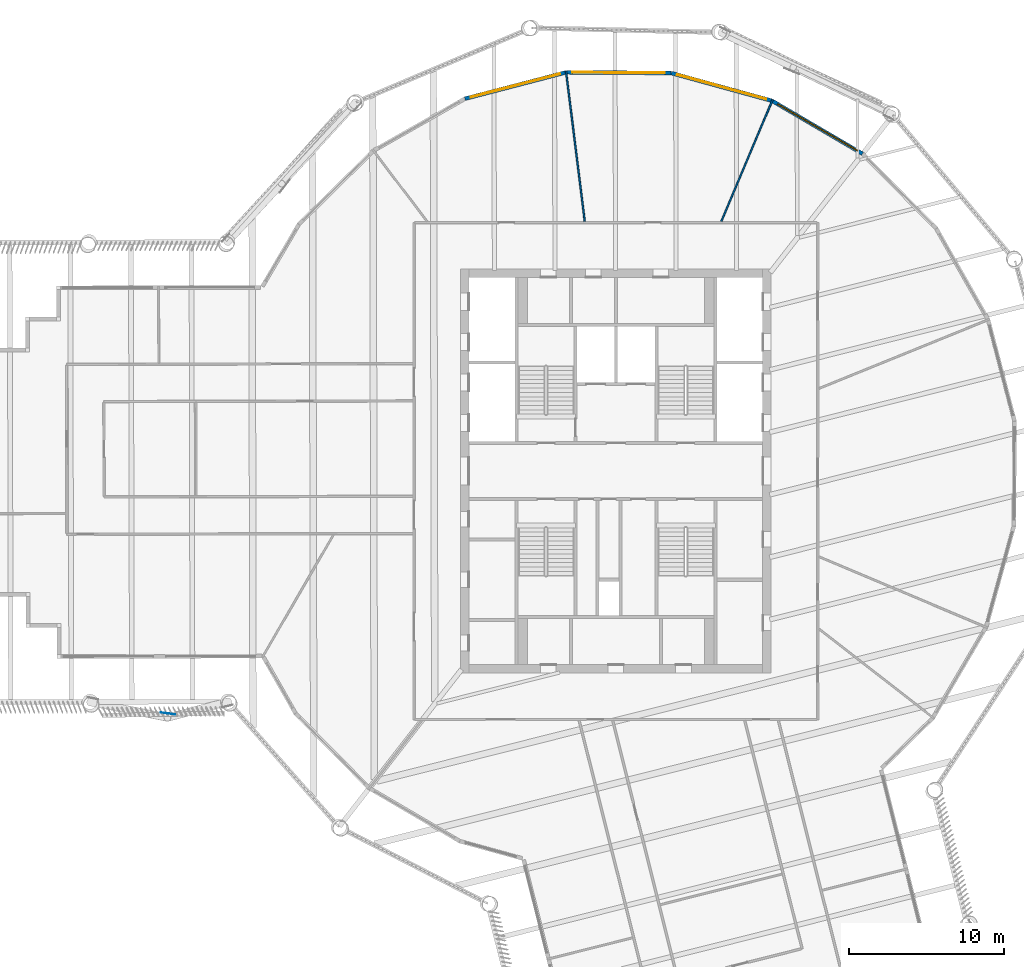
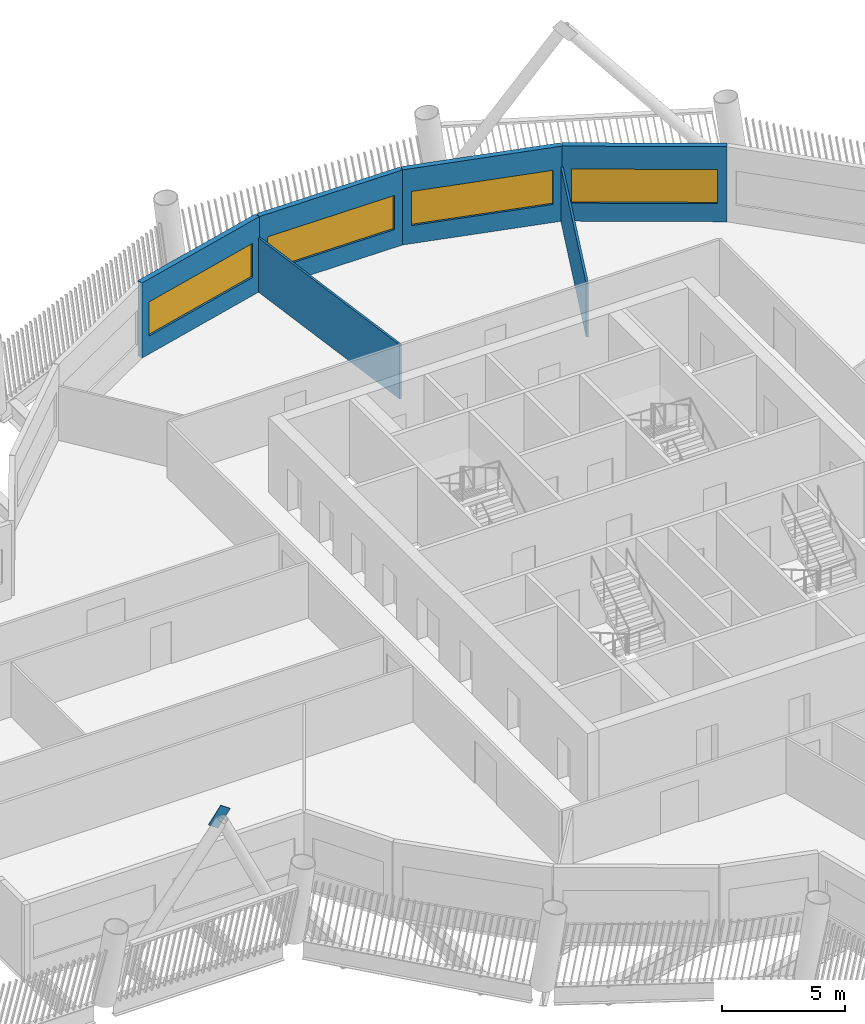
# One storey, part 7 of 22: 6 walls, 4 windows, 1 discrete accessory, 4 openings.
"""IFC4 building model written with IfcOpenShell, lengths in metres."""

import ifcopenshell
import ifcopenshell.guid

model = None  # the IFC model being written
_history = None  # IfcOwnerHistory: only IFC2X3 demands one
_inside = {}  # id of a spatial element -> (the spatial element, [elements in it])
_under = {}  # id of a project, library or spatial element -> (it, [spatial elements below it])
_declared = {}  # id of a project -> (the project, [libraries it declares])
_typed = {}  # id of a type object -> (the type object, [elements of that type])
_made_of = {}  # id of a material, layer set ... -> (it, [elements and type objects made of it])


def new_model(schema):
    """Start an empty IFC model of exactly this schema.

    Asked for "IFC4X3", IfcOpenShell would pick the latest addendum, in which some entities
    have other attributes; the version numbers below select the first issue.
    IFC2X3 requires an IfcOwnerHistory on every rooted entity: one is made here for all.
    """
    global model, _history
    if schema == "IFC4X3":
        model = ifcopenshell.file(schema_version=(4, 3, 0, 0))
    else:
        model = ifcopenshell.file(schema=schema)
    _inside.clear()
    _under.clear()
    _declared.clear()
    _typed.clear()
    _made_of.clear()
    _history = None
    if model.schema == "IFC2X3":
        org = make("IfcOrganization", Name="unknown")
        user = make(
            "IfcPersonAndOrganization",
            ThePerson=make("IfcPerson", FamilyName="unknown"),
            TheOrganization=org,
        )
        app = make(
            "IfcApplication",
            ApplicationDeveloper=org,
            Version="unknown",
            ApplicationFullName="unknown",
            ApplicationIdentifier="unknown",
        )
        _history = make(
            "IfcOwnerHistory",
            OwningUser=user,
            OwningApplication=app,
            ChangeAction="ADDED",
            CreationDate=0,
        )
    return model


def make(cls, **values):
    """One entity of the class cls with the attributes given. An attribute that is None is left unset."""
    return model.create_entity(
        cls, **{name: value for name, value in values.items() if value is not None}
    )


def rooted(cls, **values):
    """An entity with a GlobalId (a new one), such as an element, a storey or a relation."""
    return make(cls, GlobalId=ifcopenshell.guid.new(), OwnerHistory=_history, **values)


def si_unit(unit_type, name, prefix=None):
    """IfcSIUnit, for example si_unit("LENGTHUNIT", "METRE", prefix="MILLI")."""
    return make("IfcSIUnit", UnitType=unit_type, Prefix=prefix, Name=name)


def assignment(units):
    """IfcUnitAssignment: the units of a project."""
    return None if units is None else make("IfcUnitAssignment", Units=units)


def point(xyz):
    """IfcCartesianPoint."""
    return None if xyz is None else make("IfcCartesianPoint", Coordinates=xyz)


def direction(xyz):
    """IfcDirection."""
    return None if xyz is None else make("IfcDirection", DirectionRatios=xyz)


def frame(location, z_axis=None, x_axis=None):
    """IfcAxis2Placement3D, a coordinate frame: its origin and axes. An axis left out is left unset."""
    return make(
        "IfcAxis2Placement3D",
        Location=point(location),
        Axis=direction(z_axis),
        RefDirection=direction(x_axis),
    )


def frame_2d(location, x_axis=None):
    """IfcAxis2Placement2D, a coordinate frame in the plane: its origin and x axis."""
    return make(
        "IfcAxis2Placement2D", Location=point(location), RefDirection=direction(x_axis)
    )


def origin():
    """The frame at (0, 0, 0) with its axes left unset."""
    return frame((0.0, 0.0, 0.0))


def origin_2d():
    """The frame at (0, 0) in the plane with its x axis left unset."""
    return frame_2d((0.0, 0.0))


def place(relative_to, where):
    """IfcLocalPlacement: puts the frame where relative to a parent placement (None: the world)."""
    return make(
        "IfcLocalPlacement", PlacementRelTo=relative_to, RelativePlacement=where
    )


def context(
    kind, dimensions, precision=None, world=None, true_north=None, identifier=None
):
    """IfcGeometricRepresentationContext, for example the 3D "Model" context."""
    return make(
        "IfcGeometricRepresentationContext",
        ContextIdentifier=identifier,
        ContextType=kind,
        CoordinateSpaceDimension=dimensions,
        Precision=precision,
        WorldCoordinateSystem=world,
        TrueNorth=true_north,
    )


def subcontext(parent, identifier, kind, view, scale=None):
    """IfcGeometricRepresentationSubContext, for example "Body" below "Model"."""
    return make(
        "IfcGeometricRepresentationSubContext",
        ContextIdentifier=identifier,
        ContextType=kind,
        ParentContext=parent,
        TargetScale=scale,
        TargetView=view,
    )


def project(units=None, contexts=None):
    """IfcProject with its units and contexts."""
    return rooted(
        "IfcProject",
        Name="project",
        RepresentationContexts=contexts,
        UnitsInContext=assignment(units),
    )


def spatial(cls, under=None, at=None, **own):
    """A site, building, storey or space (cls), placed at a placement, below another one or the project."""
    s = rooted(cls, ObjectPlacement=at, **own)
    if under is not None:
        _under.setdefault(under.id(), (under, []))[1].append(s)
    return s


def profile(cls, at=None, kind="AREA", **sizes):
    """A parametric profile (cls). Its sizes go by their IFC names, for example OverallWidth=200.0."""
    return make(cls, ProfileType=kind, Position=at, **sizes)


def rectangle(**sizes):
    """IfcRectangleProfileDef."""
    return profile("IfcRectangleProfileDef", **sizes)


def extrude(swept, where, along, depth):
    """IfcExtrudedAreaSolid: the profile swept, set in the frame where, extruded along a direction by depth."""
    return make(
        "IfcExtrudedAreaSolid",
        SweptArea=swept,
        Position=where,
        ExtrudedDirection=direction(along),
        Depth=depth,
    )


def shape(context_of_items, identifier, shape_type, items):
    """IfcShapeRepresentation: the items that make up one representation, for example the "Body"."""
    return make(
        "IfcShapeRepresentation",
        ContextOfItems=context_of_items,
        RepresentationIdentifier=identifier,
        RepresentationType=shape_type,
        Items=items,
    )


def material(Name=None, Category=None):
    """IfcMaterial."""
    return make("IfcMaterial", Name=Name, Category=Category)


def layer(
    of_material, thickness, ventilated=None, Name=None, Category=None, Priority=None
):
    """IfcMaterialLayer: one layer of a wall or slab, of a material (None: an air gap)."""
    return make(
        "IfcMaterialLayer",
        Material=of_material,
        LayerThickness=thickness,
        IsVentilated=ventilated,
        Name=Name,
        Category=Category,
        Priority=Priority,
    )


def layer_set(layers, Name=None):
    """IfcMaterialLayerSet."""
    return make("IfcMaterialLayerSet", MaterialLayers=layers, LayerSetName=Name)


def material_profile(
    of_material, cross_section, Name=None, Category=None, Priority=None
):
    """IfcMaterialProfile: a cross section and its material."""
    return make(
        "IfcMaterialProfile",
        Name=Name,
        Material=of_material,
        Profile=cross_section,
        Priority=Priority,
        Category=Category,
    )


def profile_set(profiles, Name=None, composite=None):
    """IfcMaterialProfileSet."""
    return make(
        "IfcMaterialProfileSet",
        Name=Name,
        MaterialProfiles=profiles,
        CompositeProfile=composite,
    )


def made_of(thing, what):
    """Note that an element or type object is made of a material, layer set ...; save() writes the relation."""
    if what is not None:
        _made_of.setdefault(what.id(), (what, []))[1].append(thing)
    return thing


def type_object(cls, material=None, **own):
    """A type object (cls), such as IfcWallType, which elements share."""
    return made_of(rooted(cls, **own), material)


def element(
    cls,
    number,
    at=None,
    inside=None,
    cuts=None,
    type_object=None,
    material=None,
    context=None,
    identifier="Body",
    shape_type=None,
    held_by="IfcProductDefinitionShape",
    body=None,
    shapes=None,
    **own,
):
    """One element of the class cls, such as IfcWall. Its Tag is "e" and its number.

    at: its placement. inside: the storey or other place that contains it. cuts: it is an
    opening in that element (IfcRelVoidsElement). A single representation is given by context,
    identifier, shape_type and body (its items); several are given by shapes. held_by: the class
    of the entity that holds the representations. save() writes the other relations.
    """
    e = rooted(cls, Tag="e%d" % number, ObjectPlacement=at, **own)
    if body is not None:
        shapes = [shape(context, identifier, shape_type, body)]
    if shapes is not None:
        e.Representation = make(held_by, Representations=shapes)
    if inside is not None:
        _inside.setdefault(inside.id(), (inside, []))[1].append(e)
    if cuts is not None:
        rooted(
            "IfcRelVoidsElement", RelatingBuildingElement=cuts, RelatedOpeningElement=e
        )
    if type_object is not None:
        _typed.setdefault(type_object.id(), (type_object, []))[1].append(e)
    return made_of(e, material)


def fill(opening, filler):
    """IfcRelFillsElement: the door or window that sits in an opening."""
    return rooted(
        "IfcRelFillsElement",
        RelatingOpeningElement=opening,
        RelatedBuildingElement=filler,
    )


def aggregate(whole, parts):
    """IfcRelAggregates: a whole, such as a stair, and the parts it consists of."""
    return rooted("IfcRelAggregates", RelatingObject=whole, RelatedObjects=parts)


def save(model, path):
    """Write the relations noted so far, then the file.

    IfcRelAggregates (storeys below a building ...), IfcRelContainedInSpatialStructure (elements
    in a storey), IfcRelDefinesByType, IfcRelAssociatesMaterial and IfcRelDeclares: one each for
    every whole, place, type object, material and project.
    """
    for whole, parts in _under.values():
        aggregate(whole, parts)
    for where, things in _inside.values():
        rooted(
            "IfcRelContainedInSpatialStructure",
            RelatedElements=things,
            RelatingStructure=where,
        )
    for kind, things in _typed.values():
        rooted("IfcRelDefinesByType", RelatedObjects=things, RelatingType=kind)
    for what, things in _made_of.values():
        rooted("IfcRelAssociatesMaterial", RelatedObjects=things, RelatingMaterial=what)
    for by, libraries in _declared.values():
        rooted("IfcRelDeclares", RelatingContext=by, RelatedDefinitions=libraries)
    model.write(path)


model = new_model("IFC4")

# Units and contexts
model_context = context("Model", 3, precision=1e-05, world=origin(), true_north=direction((0.0, 1.0)))
body_context = subcontext(model_context, "Body", "Model", "MODEL_VIEW")
ifc_project = project(units=[si_unit("LENGTHUNIT", "METRE"), si_unit("AREAUNIT", "SQUARE_METRE"), si_unit("VOLUMEUNIT", "CUBIC_METRE"), si_unit("PLANEANGLEUNIT", "RADIAN"), si_unit("MASSUNIT", "GRAM", prefix="KILO")], contexts=[model_context])

# Site, building, storey
site_placement = place(None, origin())
site = spatial("IfcSite", under=ifc_project, at=site_placement, CompositionType="ELEMENT")
building_placement = place(site_placement, origin())
building = spatial("IfcBuilding", under=site, at=building_placement, Name="Tarsis Ring Headquarters", CompositionType="ELEMENT")
storey_placement = place(building_placement, frame((0.0, 0.0, 286.39990234375)))
storey = spatial("IfcBuildingStorey", under=building, at=storey_placement, Name="L67", CompositionType="ELEMENT", Elevation=286.39990234375)

# Walls
ifc_material_1 = material(Name="Gypsum board on steel studs", Category="steel")
ifc_layer_1 = layer(ifc_material_1, 0.10009765625)
ifc_layer_set_1 = layer_set([ifc_layer_1], Name="FL partition 100 unrated")
wall_type_1 = type_object("IfcWallType", Name="FL partition 100 unrated", PredefinedType="PARTITIONING", material=ifc_layer_set_1)
wall_1_placement = place(storey_placement, frame((-3.21630859375, 25.747802734375, 0.0), z_axis=(0.0, 0.0, 1.0), x_axis=(0.12395463426, -0.992287885971, 0.0)))
element("IfcWall", 1, at=wall_1_placement, inside=storey, type_object=wall_type_1, Name="Partition PW3", PredefinedType="PARTITIONING", context=body_context, shape_type="SweptSolid", body=[
    extrude(rectangle(XDim=9.75341796875, YDim=0.10009765625, at=frame_2d((4.876708984375, 0.0))), origin(), (0.0, 0.0, 1.0), 2.7001953125),
])
wall_2_placement = place(storey_placement, frame((6.783203125, 16.07373046875, 0.0), z_axis=(0.0, 0.0, 1.0), x_axis=(0.388807921559, 0.921318837392, 0.0)))
element("IfcWall", 2, at=wall_2_placement, inside=storey, type_object=wall_type_1, Name="Partition PW3", PredefinedType="PARTITIONING", context=body_context, shape_type="SweptSolid", body=[
    extrude(rectangle(XDim=8.50146484375, YDim=0.10009765625, at=frame_2d((4.250732421875, 0.0))), origin(), (0.0, 0.0, 1.0), 2.7001953125),
])

# Wall, opening, window
ifc_material_2 = material(Name="Terracotta clad insulated panel wall", Category="masonry")
ifc_layer_2 = layer(ifc_material_2, 0.25)
ifc_layer_set_2 = layer_set([ifc_layer_2], Name="Facade wall terracotta panel 250")
wall_type_2 = type_object("IfcWallType", Name="Facade wall terracotta panel 250", PredefinedType="STANDARD", material=ifc_layer_set_2)
wall_3_placement = place(storey_placement, frame((15.87255859375, 20.4306640625, 0.0), z_axis=(0.0, 0.0, 1.0), x_axis=(-0.862697970098, 0.505719499712, 0.0)))
wall_3 = element("IfcWall", 3, at=wall_3_placement, inside=storey, type_object=wall_type_2, Name="External wall L67-24", PredefinedType="STANDARD", context=body_context, shape_type="SweptSolid", body=[
    extrude(rectangle(XDim=6.721435546875, YDim=0.25, at=frame_2d((3.36083984375, 0.0))), origin(), (0.0, 0.0, 1.0), 3.739990234375),
])
opening_1_placement = place(wall_3_placement, frame((0.3857421875, 0.0, 0.89990234375)))
opening_1 = element("IfcOpeningElement", 4, at=opening_1_placement, cuts=wall_3, Name="Opening WN07", PredefinedType="OPENING", context=body_context, shape_type="SweptSolid", body=[
    extrude(rectangle(XDim=5.949951171875, YDim=1.699951171875, at=frame_2d((2.97509765625, 0.85009765625))), frame((0.0, 0.135009765625, 0.0), z_axis=(0.0, -1.0, 0.0), x_axis=(1.0, 0.0, 0.0)), (0.0, 0.0, 1.0), 0.27001953125),
])
ifc_material_3 = material(Name="Aluminium framed double glazing", Category="aluminium")
window_type = type_object("IfcWindowType", Name="Facade window 5950 x 1700", PartitioningType="SINGLE_PANEL", PredefinedType="WINDOW", material=ifc_material_3)
window_1_placement = place(opening_1_placement, origin())
window_1 = element("IfcWindow", 5, at=window_1_placement, inside=storey, type_object=window_type, Name="Window L67-24.1", OverallHeight=1.699951171875, OverallWidth=5.949951171875, PartitioningType="SINGLE_PANEL", PredefinedType="WINDOW", context=body_context, shape_type="SweptSolid", body=[
    extrude(rectangle(XDim=5.949951171875, YDim=1.699951171875, at=frame_2d((2.97509765625, 0.85009765625))), frame((0.0, 0.030029296875, 0.0), z_axis=(0.0, -1.0, 0.0), x_axis=(1.0, 0.0, 0.0)), (0.0, 0.0, 1.0), 0.06005859375),
])
fill(opening_1, window_1)

wall_4_placement = place(storey_placement, frame((10.0439453125, 23.842529296875, 0.0), z_axis=(0.0, 0.0, 1.0), x_axis=(-0.964185656426, 0.265228241222, 0.0)))
wall_4 = element("IfcWall", 6, at=wall_4_placement, inside=storey, type_object=wall_type_2, Name="External wall L67-25", PredefinedType="STANDARD", context=body_context, shape_type="SweptSolid", body=[
    extrude(rectangle(XDim=6.721435546875, YDim=0.25, at=frame_2d((3.36083984375, 0.0))), origin(), (0.0, 0.0, 1.0), 3.739990234375),
])
opening_2_placement = place(wall_4_placement, frame((0.3857421875, 0.0, 0.89990234375)))
opening_2 = element("IfcOpeningElement", 7, at=opening_2_placement, cuts=wall_4, Name="Opening WN07", PredefinedType="OPENING", context=body_context, shape_type="SweptSolid", body=[
    extrude(rectangle(XDim=5.949951171875, YDim=1.699951171875, at=frame_2d((2.97509765625, 0.85009765625))), frame((0.0, 0.135009765625, 0.0), z_axis=(0.0, -1.0, 0.0), x_axis=(1.0, 0.0, 0.0)), (0.0, 0.0, 1.0), 0.27001953125),
])
window_2_placement = place(opening_2_placement, origin())
window_2 = element("IfcWindow", 8, at=window_2_placement, inside=storey, type_object=window_type, Name="Window L67-25.1", OverallHeight=1.699951171875, OverallWidth=5.949951171875, PartitioningType="SINGLE_PANEL", PredefinedType="WINDOW", context=body_context, shape_type="SweptSolid", body=[
    extrude(rectangle(XDim=5.949951171875, YDim=1.699951171875, at=frame_2d((2.97509765625, 0.85009765625))), frame((0.0, 0.030029296875, 0.0), z_axis=(0.0, -1.0, 0.0), x_axis=(1.0, 0.0, 0.0)), (0.0, 0.0, 1.0), 0.06005859375),
])
fill(opening_2, window_2)

wall_5_placement = place(storey_placement, frame((3.53076171875, 25.629638671875, 0.0), z_axis=(0.0, 0.0, 1.0), x_axis=(-0.999977909079, 0.006646905574, 0.0)))
wall_5 = element("IfcWall", 9, at=wall_5_placement, inside=storey, type_object=wall_type_2, Name="External wall L67-26", PredefinedType="STANDARD", context=body_context, shape_type="SweptSolid", body=[
    extrude(rectangle(XDim=6.7216796875, YDim=0.25, at=frame_2d((3.36083984375, 0.0))), origin(), (0.0, 0.0, 1.0), 3.739990234375),
])
opening_3_placement = place(wall_5_placement, frame((0.3857421875, 0.0, 0.89990234375)))
opening_3 = element("IfcOpeningElement", 10, at=opening_3_placement, cuts=wall_5, Name="Opening WN07", PredefinedType="OPENING", context=body_context, shape_type="SweptSolid", body=[
    extrude(rectangle(XDim=5.949951171875, YDim=1.699951171875, at=frame_2d((2.97509765625, 0.85009765625))), frame((0.0, 0.135009765625, 0.0), z_axis=(0.0, -1.0, 0.0), x_axis=(1.0, 0.0, 0.0)), (0.0, 0.0, 1.0), 0.27001953125),
])
window_3_placement = place(opening_3_placement, origin())
window_3 = element("IfcWindow", 11, at=window_3_placement, inside=storey, type_object=window_type, Name="Window L67-26.1", OverallHeight=1.699951171875, OverallWidth=5.949951171875, PartitioningType="SINGLE_PANEL", PredefinedType="WINDOW", context=body_context, shape_type="SweptSolid", body=[
    extrude(rectangle(XDim=5.949951171875, YDim=1.699951171875, at=frame_2d((2.97509765625, 0.85009765625))), frame((0.0, 0.030029296875, 0.0), z_axis=(0.0, -1.0, 0.0), x_axis=(1.0, 0.0, 0.0)), (0.0, 0.0, 1.0), 0.06005859375),
])
fill(opening_3, window_3)

wall_6_placement = place(storey_placement, frame((-3.222900390625, 25.670166015625, 0.0), z_axis=(0.0, 0.0, 1.0), x_axis=(-0.967622286592, -0.252402675283, 0.0)))
wall_6 = element("IfcWall", 12, at=wall_6_placement, inside=storey, type_object=wall_type_2, Name="External wall L67-27", PredefinedType="STANDARD", context=body_context, shape_type="SweptSolid", body=[
    extrude(rectangle(XDim=6.721435546875, YDim=0.25, at=frame_2d((3.36083984375, 0.0))), origin(), (0.0, 0.0, 1.0), 3.739990234375),
])
opening_4_placement = place(wall_6_placement, frame((0.3857421875, 0.0, 0.89990234375)))
opening_4 = element("IfcOpeningElement", 13, at=opening_4_placement, cuts=wall_6, Name="Opening WN07", PredefinedType="OPENING", context=body_context, shape_type="SweptSolid", body=[
    extrude(rectangle(XDim=5.949951171875, YDim=1.699951171875, at=frame_2d((2.97509765625, 0.85009765625))), frame((0.0, 0.135009765625, 0.0), z_axis=(0.0, -1.0, 0.0), x_axis=(1.0, 0.0, 0.0)), (0.0, 0.0, 1.0), 0.27001953125),
])
window_4_placement = place(opening_4_placement, origin())
window_4 = element("IfcWindow", 14, at=window_4_placement, inside=storey, type_object=window_type, Name="Window L67-27.1", OverallHeight=1.699951171875, OverallWidth=5.949951171875, PartitioningType="SINGLE_PANEL", PredefinedType="WINDOW", context=body_context, shape_type="SweptSolid", body=[
    extrude(rectangle(XDim=5.949951171875, YDim=1.699951171875, at=frame_2d((2.97509765625, 0.85009765625))), frame((0.0, 0.030029296875, 0.0), z_axis=(0.0, -1.0, 0.0), x_axis=(1.0, 0.0, 0.0)), (0.0, 0.0, 1.0), 0.06005859375),
])
fill(opening_4, window_4)

# Discrete accessory
ifc_material_4 = material(Name="Structural steel S355", Category="steel")
ifc_material_profile = material_profile(ifc_material_4, rectangle(XDim=0.02490234375, YDim=0.5, at=origin_2d()), Name="PL 25x500")
ifc_profile_set = profile_set([ifc_material_profile], Name="Structural steel S355")
discrete_accessory_type = type_object("IfcDiscreteAccessoryType", Name="Gusset plate Exo brace 25", PredefinedType="BRACKET", material=ifc_profile_set)
discrete_accessory_placement = place(storey_placement, frame((-29.1123046875, -15.577880859375, 7.380859375), z_axis=(0.539838410676, -0.074713050053, 0.838446450592), x_axis=(0.137092192444, 0.990558292465, 0.0)))
element("IfcDiscreteAccessory", 15, at=discrete_accessory_placement, inside=storey, type_object=discrete_accessory_type, Name="Gusset plate GP5", PredefinedType="BRACKET", context=body_context, shape_type="SweptSolid", body=[
    extrude(rectangle(XDim=0.02490234375, YDim=0.5, at=origin_2d()), origin(), (0.0, 0.0, 1.0), 1.0),
])

save(model, "model.ifc")
